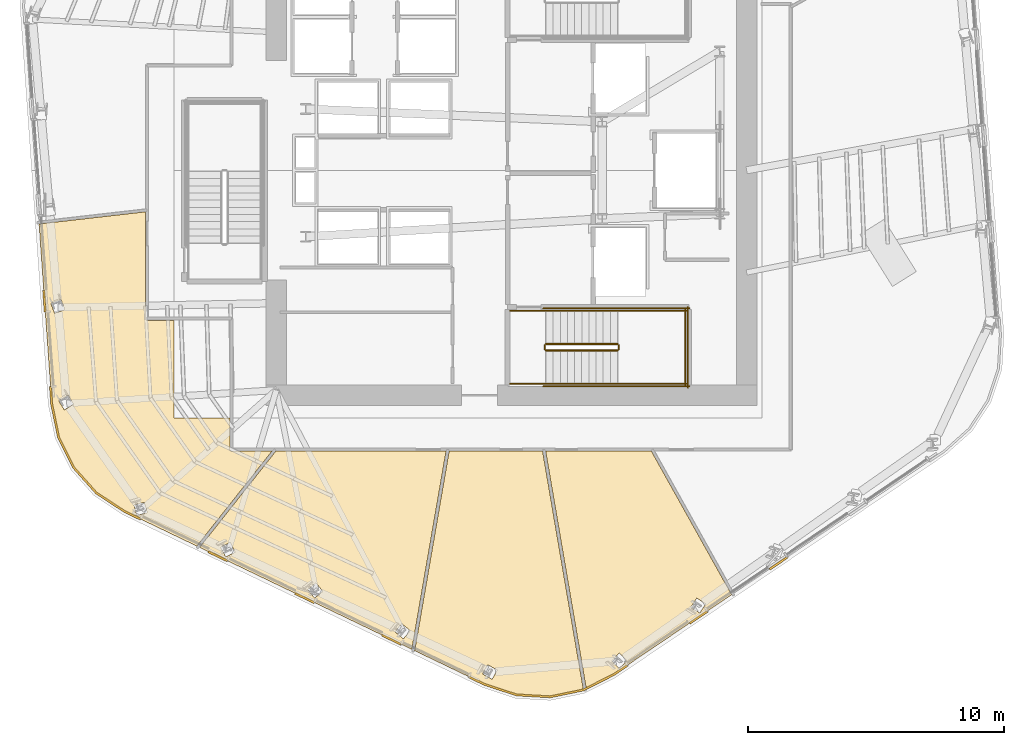
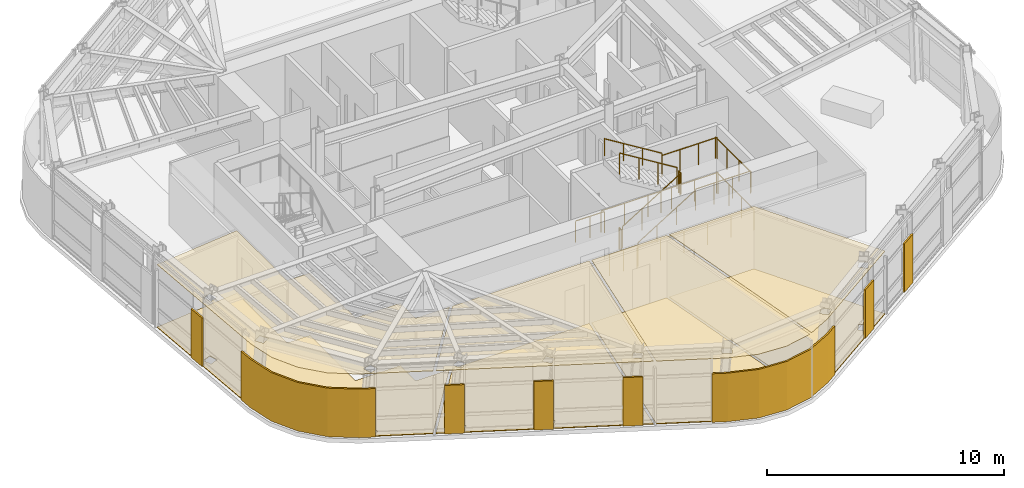
# One storey, part 10 of 15: 16 coverings, 14 railings.
"""IFC4 building model written with IfcOpenShell, lengths in metres."""

from ifc_helpers import new_model, si_unit, direction, frame, origin, origin_2d, place, context, subcontext, project, spatial, polyline, circle, outline, extrude, material, layer, layer_set, type_object, element, save


model = new_model("IFC4")

# Units and contexts
model_context = context("Model", 3, precision=1e-05, world=origin(), true_north=direction((0.0, 1.0)))
body_context = subcontext(model_context, "Body", "Model", "MODEL_VIEW")
ifc_project = project(units=[si_unit("LENGTHUNIT", "METRE"), si_unit("AREAUNIT", "SQUARE_METRE"), si_unit("VOLUMEUNIT", "CUBIC_METRE"), si_unit("PLANEANGLEUNIT", "RADIAN"), si_unit("MASSUNIT", "GRAM", prefix="KILO")], contexts=[model_context])

# Site, building, storey
site_placement = place(None, origin())
site = spatial("IfcSite", under=ifc_project, at=site_placement, CompositionType="ELEMENT")
building_placement = place(site_placement, origin())
building = spatial("IfcBuilding", under=site, at=building_placement, Name="Valkerne Bourse Tower", CompositionType="ELEMENT")
storey_placement = place(building_placement, frame((0.0, 0.0, 170.39990234375)))
storey = spatial("IfcBuildingStorey", under=building, at=storey_placement, Name="L43", CompositionType="ELEMENT", Elevation=170.39990234375)

# Coverings
ifc_material_1 = material(Name="Mineral Fiber Acoustic Ceiling Tile", Category="acoustic")
ifc_layer_1 = layer(ifc_material_1, 0.02490234375)
ifc_layer_set_1 = layer_set([ifc_layer_1], Name="Mineral Fiber Acoustic Ceiling Tile")
covering_type_1 = type_object("IfcCoveringType", Name="COV-CEIL-ACT", PredefinedType="CEILING", material=ifc_layer_set_1)
covering_1_placement = place(storey_placement, frame((0.0, 0.0, 3.22998046875)))
element("IfcCovering", 1, at=covering_1_placement, inside=storey, type_object=covering_type_1, Name="L43 Suspended Ceiling 04", PredefinedType="CEILING", context=body_context, shape_type="SweptSolid", body=[
    extrude(outline(polyline([(48.13818359375, 16.010986328125), (52.27392578125, 16.010986328125), (55.41357421875, 10.393310546875), (50.7919921875, 7.27001953125), (49.72412109375, 6.73291015625), (48.13818359375, 16.010986328125)]), holes=[polyline([(51.315185546875, 7.8203125), (51.0166015625, 8.10693359375), (51.013671875, 8.106201171875), (50.72119140625, 7.7998046875), (51.02001953125, 7.51318359375), (51.022705078125, 7.513671875), (51.315185546875, 7.8203125)]), polyline([(54.39794921875, 10.037353515625), (54.05078125, 10.2626953125), (54.048095703125, 10.26171875), (53.818603515625, 9.905517578125), (54.166015625, 9.68017578125), (54.16845703125, 9.68115234375), (54.39794921875, 10.037353515625)])]), origin(), (0.0, 0.0, 1.0), 0.025146484375),
])
covering_2_placement = place(storey_placement, frame((0.0, 0.0, 3.22998046875)))
element("IfcCovering", 2, at=covering_2_placement, inside=storey, type_object=covering_type_1, Name="L43 Suspended Ceiling 05", PredefinedType="CEILING", context=body_context, shape_type="SweptSolid", body=[
    extrude(outline(polyline([(46.9951171875, 6.481201171875), (45.73291015625, 6.8984375), (43.01318359375, 8.20458984375), (44.36181640625, 16.010986328125), (48.0185546875, 16.010986328125), (49.61376953125, 6.678466796875), (48.3125, 6.4052734375), (46.9951171875, 6.481201171875)]), holes=[polyline([(46.243408203125, 7.4501953125), (45.871826171875, 7.6533203125), (45.868896484375, 7.653564453125), (45.671142578125, 7.28955078125), (46.042724609375, 7.08642578125), (46.045654296875, 7.08642578125), (46.243408203125, 7.4501953125)])]), origin(), (0.0, 0.0, 1.0), 0.025146484375),
])
covering_3_placement = place(storey_placement, frame((0.0, 0.0, 3.22998046875)))
element("IfcCovering", 3, at=covering_3_placement, inside=storey, type_object=covering_type_1, Name="L43 Suspended Ceiling 06", PredefinedType="CEILING", context=body_context, shape_type="SweptSolid", body=[
    extrude(outline(polyline([(44.241943359375, 16.010986328125), (42.90283203125, 8.2578125), (34.599853515625, 12.244873046875), (37.579833984375, 16.010986328125), (44.241943359375, 16.010986328125)]), holes=[polyline([(35.7958984375, 12.43896484375), (35.793701171875, 12.4404296875), (35.42529296875, 12.25146484375), (35.617919921875, 11.8740234375), (35.6201171875, 11.87255859375), (35.988525390625, 12.0615234375), (35.7958984375, 12.43896484375)]), polyline([(42.509521484375, 9.260009765625), (42.507080078125, 9.2607421875), (42.244384765625, 8.9404296875), (42.5712890625, 8.671142578125), (42.573974609375, 8.67041015625), (42.83642578125, 8.99072265625), (42.509521484375, 9.260009765625)]), polyline([(39.418701171875, 10.525390625), (39.1533203125, 10.855712890625), (39.15087890625, 10.856689453125), (38.82861328125, 10.5966796875), (39.093994140625, 10.266357421875), (39.096435546875, 10.26513671875), (39.418701171875, 10.525390625)])]), origin(), (0.0, 0.0, 1.0), 0.025146484375),
])
covering_4_placement = place(storey_placement, frame((0.0, 0.0, 3.22998046875)))
element("IfcCovering", 4, at=covering_4_placement, inside=storey, type_object=covering_type_1, Name="L43 Suspended Ceiling 07", PredefinedType="CEILING", context=body_context, shape_type="SweptSolid", body=[
    extrude(outline(polyline([(29.681884765625, 15.366455078125), (29.089111328125, 16.54541015625), (28.819580078125, 17.8466796875), (28.320068359375, 24.8994140625), (32.48095703125, 25.37451171875), (32.48095703125, 21.199462890625), (32.48779296875, 21.169921875), (32.513916015625, 21.14111328125), (32.54931640625, 21.131103515625), (33.60009765625, 21.131103515625), (33.60009765625, 17.300048828125), (35.78369140625, 17.300048828125), (35.78466796875, 16.05712890625), (35.80908203125, 16.024169921875), (35.8466796875, 16.010986328125), (37.429443359375, 16.010986328125), (34.49072265625, 12.29736328125), (31.67041015625, 13.651611328125), (30.559814453125, 14.38134765625), (29.681884765625, 15.366455078125)]), holes=[polyline([(32.4306640625, 14.012451171875), (32.4287109375, 14.0146484375), (32.031494140625, 13.89794921875), (32.1494140625, 13.491455078125), (32.1513671875, 13.4892578125), (32.548828125, 13.605712890625), (32.4306640625, 14.012451171875)]), polyline([(29.668212890625, 17.847900390625), (29.666748046875, 17.850341796875), (29.451416015625, 18.202880859375), (29.089111328125, 17.981689453125), (29.09033203125, 17.979248046875), (29.3056640625, 17.626708984375), (29.668212890625, 17.847900390625)]), polyline([(29.32373046875, 21.551513671875), (29.322998046875, 21.55419921875), (29.177490234375, 21.94091796875), (28.780029296875, 21.791748046875), (28.78076171875, 21.7890625), (28.92626953125, 21.40234375), (29.32373046875, 21.551513671875)])]), origin(), (0.0, 0.0, 1.0), 0.025146484375),
])
ifc_material_2 = material(Name="Bronze Anodised Aluminium AA 6063-T6", Category="aluminium")
ifc_layer_2 = layer(ifc_material_2, 0.06005859375)
ifc_layer_set_2 = layer_set([ifc_layer_2], Name="Bronze Anodised Aluminium AA 6063-T6")
covering_type_2 = type_object("IfcCoveringType", Name="COV-CRN-ALUM", PredefinedType="CLADDING", material=ifc_layer_set_2)
covering_5_placement = place(storey_placement, origin())
element("IfcCovering", 5, at=covering_5_placement, inside=storey, type_object=covering_type_2, Name="L43 Wind-Shaped Corner Aluminium Cladding 03", PredefinedType="CLADDING", context=body_context, shape_type="SweptSolid", body=[
    extrude(outline(polyline([(56.92138671875, 11.359375), (56.876708984375, 11.425537109375), (57.572509765625, 11.89599609375), (57.61767578125, 11.82958984375), (56.92138671875, 11.359375)])), origin(), (0.0, 0.0, 1.0), 2.5),
])
covering_6_placement = place(storey_placement, origin())
element("IfcCovering", 6, at=covering_6_placement, inside=storey, type_object=covering_type_2, Name="L43 Wind-Shaped Corner Aluminium Cladding 04", PredefinedType="CLADDING", context=body_context, shape_type="SweptSolid", body=[
    extrude(outline(polyline([(53.797119140625, 9.247802734375), (53.752197265625, 9.31396484375), (54.4482421875, 9.784423828125), (54.4931640625, 9.71826171875), (53.797119140625, 9.247802734375)])), origin(), (0.0, 0.0, 1.0), 2.5),
])
covering_7_placement = place(storey_placement, origin())
element("IfcCovering", 7, at=covering_7_placement, inside=storey, type_object=covering_type_2, Name="L43 Wind-Shaped Corner Aluminium Cladding 05", PredefinedType="CLADDING", context=body_context, shape_type="SweptSolid", body=[
    extrude(outline(polyline([(50.814208984375, 7.23193359375), (49.619140625, 6.630859375), (48.315673828125, 6.36083984375), (46.98681640625, 6.4375), (45.716552734375, 6.857666015625), (45.11328125, 7.147216796875), (45.148193359375, 7.21923828125), (45.74658203125, 6.931884765625), (47.001708984375, 6.5166015625), (48.309814453125, 6.44140625), (49.592529296875, 6.70703125), (50.773681640625, 7.301025390625), (51.32373046875, 7.6728515625), (51.368896484375, 7.606689453125), (50.814208984375, 7.23193359375)])), origin(), (0.0, 0.0, 1.0), 2.5),
])
covering_8_placement = place(storey_placement, origin())
element("IfcCovering", 8, at=covering_8_placement, inside=storey, type_object=covering_type_2, Name="L43 Wind-Shaped Corner Aluminium Cladding 06", PredefinedType="CLADDING", context=body_context, shape_type="SweptSolid", body=[
    extrude(outline(polyline([(41.714111328125, 8.77978515625), (41.748779296875, 8.851806640625), (42.506103515625, 8.488037109375), (42.47119140625, 8.416015625), (41.714111328125, 8.77978515625)])), origin(), (0.0, 0.0, 1.0), 2.5),
])
covering_9_placement = place(storey_placement, origin())
element("IfcCovering", 9, at=covering_9_placement, inside=storey, type_object=covering_type_2, Name="L43 Wind-Shaped Corner Aluminium Cladding 07", PredefinedType="CLADDING", context=body_context, shape_type="SweptSolid", body=[
    extrude(outline(polyline([(38.314697265625, 10.412109375), (38.349609375, 10.484130859375), (39.106689453125, 10.12060546875), (39.072021484375, 10.048583984375), (38.314697265625, 10.412109375)])), origin(), (0.0, 0.0, 1.0), 2.5),
])
covering_10_placement = place(storey_placement, origin())
element("IfcCovering", 10, at=covering_10_placement, inside=storey, type_object=covering_type_2, Name="L43 Wind-Shaped Corner Aluminium Cladding 08", PredefinedType="CLADDING", context=body_context, shape_type="SweptSolid", body=[
    extrude(outline(polyline([(34.915283203125, 12.044677734375), (34.9501953125, 12.11669921875), (35.707275390625, 11.7529296875), (35.672607421875, 11.680908203125), (34.915283203125, 12.044677734375)])), origin(), (0.0, 0.0, 1.0), 2.5),
])
covering_11_placement = place(storey_placement, origin())
element("IfcCovering", 11, at=covering_11_placement, inside=storey, type_object=covering_type_2, Name="L43 Wind-Shaped Corner Aluminium Cladding 09", PredefinedType="CLADDING", context=body_context, shape_type="SweptSolid", body=[
    extrude(outline(polyline([(31.648681640625, 13.61328125), (30.53076171875, 14.347900390625), (29.645263671875, 15.341552734375), (29.047119140625, 16.53076171875), (28.77587890625, 17.840576171875), (28.726806640625, 18.53173828125), (28.806640625, 18.53759765625), (28.855224609375, 17.8515625), (29.123291015625, 16.557373046875), (29.7119140625, 15.386962890625), (30.58349609375, 14.40869140625), (31.688232421875, 13.68310546875), (32.30810546875, 13.385498046875), (32.273193359375, 13.3134765625), (31.648681640625, 13.61328125)])), origin(), (0.0, 0.0, 1.0), 2.5),
])
covering_12_placement = place(storey_placement, origin())
element("IfcCovering", 12, at=covering_12_placement, inside=storey, type_object=covering_type_2, Name="L43 Wind-Shaped Corner Aluminium Cladding 10", PredefinedType="CLADDING", context=body_context, shape_type="SweptSolid", body=[
    extrude(outline(polyline([(28.46044921875, 22.293212890625), (28.540283203125, 22.299072265625), (28.599609375, 21.461181640625), (28.519775390625, 21.455078125), (28.46044921875, 22.293212890625)])), origin(), (0.0, 0.0, 1.0), 2.5),
])
ifc_material_3 = material(Name="Polished Granite Stone", Category="masonry")
ifc_layer_3 = layer(ifc_material_3, 0.030029296875)
ifc_layer_set_3 = layer_set([ifc_layer_3], Name="Polished Granite Stone")
covering_type_3 = type_object("IfcCoveringType", Name="COV-FLR-TERRAZZO", PredefinedType="FLOORING", material=ifc_layer_set_3)
covering_13_placement = place(storey_placement, origin())
element("IfcCovering", 13, at=covering_13_placement, inside=storey, type_object=covering_type_3, Name="L43 Floor Finish 04", PredefinedType="FLOORING", context=body_context, shape_type="SweptSolid", body=[
    extrude(outline(polyline([(48.13818359375, 16.010986328125), (52.27392578125, 16.010986328125), (55.41357421875, 10.393310546875), (50.7919921875, 7.27001953125), (49.72412109375, 6.73291015625), (48.13818359375, 16.010986328125)]), holes=[polyline([(51.315185546875, 7.8203125), (51.0166015625, 8.10693359375), (51.013671875, 8.106201171875), (50.72119140625, 7.7998046875), (51.02001953125, 7.51318359375), (51.022705078125, 7.513671875), (51.315185546875, 7.8203125)]), polyline([(54.39794921875, 10.037353515625), (54.05078125, 10.2626953125), (54.048095703125, 10.26171875), (53.818603515625, 9.905517578125), (54.166015625, 9.68017578125), (54.16845703125, 9.68115234375), (54.39794921875, 10.037353515625)])]), origin(), (0.0, 0.0, 1.0), 0.030029296875),
])
covering_14_placement = place(storey_placement, origin())
element("IfcCovering", 14, at=covering_14_placement, inside=storey, type_object=covering_type_3, Name="L43 Floor Finish 05", PredefinedType="FLOORING", context=body_context, shape_type="SweptSolid", body=[
    extrude(outline(polyline([(46.9951171875, 6.481201171875), (45.73291015625, 6.8984375), (43.01318359375, 8.20458984375), (44.36181640625, 16.010986328125), (48.0185546875, 16.010986328125), (49.61376953125, 6.678466796875), (48.3125, 6.4052734375), (46.9951171875, 6.481201171875)]), holes=[polyline([(46.243408203125, 7.4501953125), (45.871826171875, 7.6533203125), (45.868896484375, 7.653564453125), (45.671142578125, 7.28955078125), (46.042724609375, 7.08642578125), (46.045654296875, 7.08642578125), (46.243408203125, 7.4501953125)])]), origin(), (0.0, 0.0, 1.0), 0.030029296875),
])
covering_15_placement = place(storey_placement, origin())
element("IfcCovering", 15, at=covering_15_placement, inside=storey, type_object=covering_type_3, Name="L43 Floor Finish 06", PredefinedType="FLOORING", context=body_context, shape_type="SweptSolid", body=[
    extrude(outline(polyline([(44.241943359375, 16.010986328125), (42.90283203125, 8.2578125), (34.599853515625, 12.244873046875), (37.579833984375, 16.010986328125), (44.241943359375, 16.010986328125)]), holes=[polyline([(35.7958984375, 12.43896484375), (35.793701171875, 12.4404296875), (35.42529296875, 12.25146484375), (35.617919921875, 11.8740234375), (35.6201171875, 11.87255859375), (35.988525390625, 12.0615234375), (35.7958984375, 12.43896484375)]), polyline([(42.509521484375, 9.260009765625), (42.507080078125, 9.2607421875), (42.244384765625, 8.9404296875), (42.5712890625, 8.671142578125), (42.573974609375, 8.67041015625), (42.83642578125, 8.99072265625), (42.509521484375, 9.260009765625)]), polyline([(39.418701171875, 10.525390625), (39.1533203125, 10.855712890625), (39.15087890625, 10.856689453125), (38.82861328125, 10.5966796875), (39.093994140625, 10.266357421875), (39.096435546875, 10.26513671875), (39.418701171875, 10.525390625)])]), origin(), (0.0, 0.0, 1.0), 0.030029296875),
])
covering_16_placement = place(storey_placement, origin())
element("IfcCovering", 16, at=covering_16_placement, inside=storey, type_object=covering_type_3, Name="L43 Floor Finish 07", PredefinedType="FLOORING", context=body_context, shape_type="SweptSolid", body=[
    extrude(outline(polyline([(29.681884765625, 15.366455078125), (29.089111328125, 16.54541015625), (28.819580078125, 17.8466796875), (28.320068359375, 24.8994140625), (32.48095703125, 25.37451171875), (32.48095703125, 21.199462890625), (32.48779296875, 21.169921875), (32.513916015625, 21.14111328125), (32.54931640625, 21.131103515625), (33.60009765625, 21.131103515625), (33.60009765625, 17.300048828125), (35.78369140625, 17.300048828125), (35.78466796875, 16.05712890625), (35.80908203125, 16.024169921875), (35.8466796875, 16.010986328125), (37.429443359375, 16.010986328125), (34.49072265625, 12.29736328125), (31.67041015625, 13.651611328125), (30.559814453125, 14.38134765625), (29.681884765625, 15.366455078125)]), holes=[polyline([(32.4306640625, 14.012451171875), (32.4287109375, 14.0146484375), (32.031494140625, 13.89794921875), (32.1494140625, 13.491455078125), (32.1513671875, 13.4892578125), (32.548828125, 13.605712890625), (32.4306640625, 14.012451171875)]), polyline([(29.668212890625, 17.847900390625), (29.666748046875, 17.850341796875), (29.451416015625, 18.202880859375), (29.089111328125, 17.981689453125), (29.09033203125, 17.979248046875), (29.3056640625, 17.626708984375), (29.668212890625, 17.847900390625)]), polyline([(29.32373046875, 21.551513671875), (29.322998046875, 21.55419921875), (29.177490234375, 21.94091796875), (28.780029296875, 21.791748046875), (28.78076171875, 21.7890625), (28.92626953125, 21.40234375), (29.32373046875, 21.551513671875)])]), origin(), (0.0, 0.0, 1.0), 0.030029296875),
])

# Railings
ifc_material_4 = material(Name="Galvanised Painted Steel", Category="steel")
railing_type_1 = type_object("IfcRailingType", Name="RLG-ST-GUARD-1120", PredefinedType="GUARDRAIL", material=ifc_material_4)
railing_1_placement = place(storey_placement, frame((48.14990234375, 19.949951171875, 0.1728515625)))
element("IfcRailing", 17, at=railing_1_placement, inside=storey, type_object=railing_type_1, Name="L43 ST-1 stair guard 1", PredefinedType="GUARDRAIL", context=body_context, shape_type="SweptSolid", body=[
    extrude(circle(Radius=0.02392578125, at=origin_2d()), frame((0.0, 0.0, 1.09619140625), z_axis=(0.851089632645, 0.0, 0.525020415988), x_axis=(0.0, 1.0, 0.0)), (0.0, 0.0, 1.0), 3.2900390625),
    extrude(circle(Radius=0.02099609375, at=origin_2d()), origin(), (0.0, 0.0, 1.0), 1.072021484375),
    extrude(circle(Radius=0.02099609375, at=origin_2d()), frame((0.933349609375, 0.0, 0.57568359375)), (0.0, 0.0, 1.0), 1.072021484375),
    extrude(circle(Radius=0.02099609375, at=origin_2d()), frame((1.86669921875, 0.0, 1.151611328125)), (0.0, 0.0, 1.0), 1.072021484375),
    extrude(circle(Radius=0.02099609375, at=origin_2d()), frame((2.800048828125, 0.0, 1.727294921875)), (0.0, 0.0, 1.0), 1.072021484375),
])
railing_2_placement = place(storey_placement, frame((51.0, 20.0, 1.900146484375)))
element("IfcRailing", 18, at=railing_2_placement, inside=storey, type_object=railing_type_1, Name="L43 ST-1 stair guard 2", PredefinedType="GUARDRAIL", context=body_context, shape_type="SweptSolid", body=[
    extrude(circle(Radius=0.02392578125, at=origin_2d()), frame((0.0, 0.0, 1.09619140625), z_axis=(0.0, 1.0, 0.0), x_axis=(-1.0, 0.0, 0.0)), (0.0, 0.0, 1.0), 0.14990234375),
    extrude(circle(Radius=0.02099609375, at=origin_2d()), origin(), (0.0, 0.0, 1.0), 1.072021484375),
    extrude(circle(Radius=0.02099609375, at=origin_2d()), frame((0.0, 0.14990234375, 0.0)), (0.0, 0.0, 1.0), 1.072021484375),
])
for number, where, name in (
    (19, (50.949951171875, 18.64990234375, 1.900146484375), "L43 ST-1 stair guard 3"),
    (20, (50.949951171875, 21.5, 1.900146484375), "L43 ST-1 stair guard 4"),
):
    element("IfcRailing", number, at=place(storey_placement, frame(where)), inside=storey, type_object=railing_type_1, Name=name, PredefinedType="GUARDRAIL", context=body_context, shape_type="SweptSolid", body=[
        extrude(circle(Radius=0.02392578125, at=origin_2d()), frame((0.0, 0.0, 1.09619140625), z_axis=(1.0, 0.0, 0.0), x_axis=(0.0, 1.0, 0.0)), (0.0, 0.0, 1.0), 2.699951171875),
        extrude(circle(Radius=0.02099609375, at=origin_2d()), origin(), (0.0, 0.0, 1.0), 1.072021484375),
        extrude(circle(Radius=0.02099609375, at=origin_2d()), frame((0.89990234375, 0.0, 0.0)), (0.0, 0.0, 1.0), 1.072021484375),
        extrude(circle(Radius=0.02099609375, at=origin_2d()), frame((1.800048828125, 0.0, 0.0)), (0.0, 0.0, 1.0), 1.072021484375),
        extrude(circle(Radius=0.02099609375, at=origin_2d()), frame((2.699951171875, 0.0, 0.0)), (0.0, 0.0, 1.0), 1.072021484375),
    ])
railing_3_placement = place(storey_placement, frame((53.60009765625, 18.60009765625, 1.900146484375)))
element("IfcRailing", 21, at=railing_3_placement, inside=storey, type_object=railing_type_1, Name="L43 ST-1 stair guard 5", PredefinedType="GUARDRAIL", context=body_context, shape_type="SweptSolid", body=[
    extrude(circle(Radius=0.02392578125, at=origin_2d()), frame((0.0, 0.0, 1.09619140625), z_axis=(0.0, 1.0, 0.0), x_axis=(-1.0, 0.0, 0.0)), (0.0, 0.0, 1.0), 2.949951171875),
    extrude(circle(Radius=0.02099609375, at=origin_2d()), origin(), (0.0, 0.0, 1.0), 1.072021484375),
    extrude(circle(Radius=0.02099609375, at=origin_2d()), frame((0.0, 0.9833984375, 0.0)), (0.0, 0.0, 1.0), 1.072021484375),
    extrude(circle(Radius=0.02099609375, at=origin_2d()), frame((0.0, 1.966552734375, 0.0)), (0.0, 0.0, 1.0), 1.072021484375),
    extrude(circle(Radius=0.02099609375, at=origin_2d()), frame((0.0, 2.949951171875, 0.0)), (0.0, 0.0, 1.0), 1.072021484375),
])
railing_4_placement = place(storey_placement, frame((50.949951171875, 20.199951171875, 2.07275390625)))
element("IfcRailing", 22, at=railing_4_placement, inside=storey, type_object=railing_type_1, Name="L43 ST-1 stair guard 6", PredefinedType="GUARDRAIL", context=body_context, shape_type="SweptSolid", body=[
    extrude(circle(Radius=0.02392578125, at=origin_2d()), frame((0.0, 0.0, 1.09619140625), z_axis=(-0.851089632645, 0.0, 0.525020415988), x_axis=(0.0, -1.0, 0.0)), (0.0, 0.0, 1.0), 3.2900390625),
    extrude(circle(Radius=0.02099609375, at=origin_2d()), origin(), (0.0, 0.0, 1.0), 1.072021484375),
    extrude(circle(Radius=0.02099609375, at=origin_2d()), frame((-0.933349609375, 0.0, 0.57568359375)), (0.0, 0.0, 1.0), 1.072021484375),
    extrude(circle(Radius=0.02099609375, at=origin_2d()), frame((-1.86669921875, 0.0, 1.151611328125)), (0.0, 0.0, 1.0), 1.072021484375),
    extrude(circle(Radius=0.02099609375, at=origin_2d()), frame((-2.800048828125, 0.0, 1.727294921875)), (0.0, 0.0, 1.0), 1.072021484375),
])
railing_5_placement = place(storey_placement, frame((48.10009765625, 20.0, 0.0)))
element("IfcRailing", 23, at=railing_5_placement, inside=storey, type_object=railing_type_1, Name="L43 ST-1 stair guard 7", PredefinedType="GUARDRAIL", context=body_context, shape_type="SweptSolid", body=[
    extrude(circle(Radius=0.02392578125, at=origin_2d()), frame((0.0, 0.0, 1.09619140625), z_axis=(0.0, 1.0, 0.0), x_axis=(-1.0, 0.0, 0.0)), (0.0, 0.0, 1.0), 0.14990234375),
    extrude(circle(Radius=0.02099609375, at=origin_2d()), origin(), (0.0, 0.0, 1.0), 1.072021484375),
    extrude(circle(Radius=0.02099609375, at=origin_2d()), frame((0.0, 0.14990234375, 0.0)), (0.0, 0.0, 1.0), 1.072021484375),
])
for number, where, name in (
    (24, (46.75, 18.64990234375, 0.0), "L43 ST-1 stair guard 8"),
    (25, (46.75, 21.5, 0.0), "L43 ST-1 stair guard 9"),
):
    element("IfcRailing", number, at=place(storey_placement, frame(where)), inside=storey, type_object=railing_type_1, Name=name, PredefinedType="GUARDRAIL", context=body_context, shape_type="SweptSolid", body=[
        extrude(circle(Radius=0.02392578125, at=origin_2d()), frame((0.0, 0.0, 1.09619140625), z_axis=(1.0, 0.0, 0.0), x_axis=(0.0, 1.0, 0.0)), (0.0, 0.0, 1.0), 1.39990234375),
        extrude(circle(Radius=0.02099609375, at=origin_2d()), origin(), (0.0, 0.0, 1.0), 1.072021484375),
        extrude(circle(Radius=0.02099609375, at=origin_2d()), frame((0.699951171875, 0.0, 0.0)), (0.0, 0.0, 1.0), 1.072021484375),
        extrude(circle(Radius=0.02099609375, at=origin_2d()), frame((1.39990234375, 0.0, 0.0)), (0.0, 0.0, 1.0), 1.072021484375),
    ])
for number, where, name in (
    (26, (48.050048828125, 18.550048828125, 0.0), "L43 ST-1 stair guard 10"),
    (27, (48.050048828125, 21.60009765625, 0.0), "L43 ST-1 stair guard 11"),
):
    element("IfcRailing", number, at=place(storey_placement, frame(where)), inside=storey, type_object=railing_type_1, Name=name, PredefinedType="GUARDRAIL", context=body_context, shape_type="SweptSolid", body=[
        extrude(circle(Radius=0.02392578125, at=origin_2d()), frame((0.0, 0.0, 1.09619140625), z_axis=(1.0, 0.0, 0.0), x_axis=(0.0, 1.0, 0.0)), (0.0, 0.0, 1.0), 5.699951171875),
        extrude(circle(Radius=0.02099609375, at=origin_2d()), origin(), (0.0, 0.0, 1.0), 1.072021484375),
        extrude(circle(Radius=0.02099609375, at=origin_2d()), frame((1.139892578125, 0.0, 0.0)), (0.0, 0.0, 1.0), 1.072021484375),
        extrude(circle(Radius=0.02099609375, at=origin_2d()), frame((2.280029296875, 0.0, 0.0)), (0.0, 0.0, 1.0), 1.072021484375),
        extrude(circle(Radius=0.02099609375, at=origin_2d()), frame((3.419921875, 0.0, 0.0)), (0.0, 0.0, 1.0), 1.072021484375),
        extrude(circle(Radius=0.02099609375, at=origin_2d()), frame((4.56005859375, 0.0, 0.0)), (0.0, 0.0, 1.0), 1.072021484375),
        extrude(circle(Radius=0.02099609375, at=origin_2d()), frame((5.699951171875, 0.0, 0.0)), (0.0, 0.0, 1.0), 1.072021484375),
    ])
railing_6_placement = place(storey_placement, frame((53.699951171875, 18.5, 0.0)))
element("IfcRailing", 28, at=railing_6_placement, inside=storey, type_object=railing_type_1, Name="L43 ST-1 stair guard 12", PredefinedType="GUARDRAIL", context=body_context, shape_type="SweptSolid", body=[
    extrude(circle(Radius=0.02392578125, at=origin_2d()), frame((0.0, 0.0, 1.09619140625), z_axis=(0.0, 1.0, 0.0), x_axis=(-1.0, 0.0, 0.0)), (0.0, 0.0, 1.0), 3.14990234375),
    extrude(circle(Radius=0.02099609375, at=origin_2d()), origin(), (0.0, 0.0, 1.0), 1.072021484375),
    extrude(circle(Radius=0.02099609375, at=origin_2d()), frame((0.0, 1.050048828125, 0.0)), (0.0, 0.0, 1.0), 1.072021484375),
    extrude(circle(Radius=0.02099609375, at=origin_2d()), frame((0.0, 2.099853515625, 0.0)), (0.0, 0.0, 1.0), 1.072021484375),
    extrude(circle(Radius=0.02099609375, at=origin_2d()), frame((0.0, 3.14990234375, 0.0)), (0.0, 0.0, 1.0), 1.072021484375),
])
ifc_material_5 = material(Name="Stainless Steel AISI 316", Category="steel")
railing_type_2 = type_object("IfcRailingType", Name="RLG-ST-HANDRAIL-900", PredefinedType="HANDRAIL", material=ifc_material_5)
railing_7_placement = place(storey_placement, frame((48.14990234375, 18.64990234375, 0.345458984375)))
element("IfcRailing", 29, at=railing_7_placement, inside=storey, type_object=railing_type_2, Name="L43 ST-1 stair handrail 1", PredefinedType="HANDRAIL", context=body_context, shape_type="SweptSolid", body=[
    extrude(circle(Radius=0.02392578125, at=origin_2d()), frame((0.0, 0.0, 0.8759765625), z_axis=(0.851089632645, 0.0, 0.525020415988), x_axis=(0.0, 1.0, 0.0)), (0.0, 0.0, 1.0), 3.2900390625),
    extrude(circle(Radius=0.02099609375, at=origin_2d()), origin(), (0.0, 0.0, 1.0), 0.851806640625),
    extrude(circle(Radius=0.02099609375, at=origin_2d()), frame((0.933349609375, 0.0, 0.57568359375)), (0.0, 0.0, 1.0), 0.851806640625),
    extrude(circle(Radius=0.02099609375, at=origin_2d()), frame((1.86669921875, 0.0, 1.151611328125)), (0.0, 0.0, 1.0), 0.851806640625),
    extrude(circle(Radius=0.02099609375, at=origin_2d()), frame((2.800048828125, 0.0, 1.727294921875)), (0.0, 0.0, 1.0), 0.851806640625),
])
railing_8_placement = place(storey_placement, frame((50.949951171875, 21.5, 2.24560546875)))
element("IfcRailing", 30, at=railing_8_placement, inside=storey, type_object=railing_type_2, Name="L43 ST-1 stair handrail 2", PredefinedType="HANDRAIL", context=body_context, shape_type="SweptSolid", body=[
    extrude(circle(Radius=0.02392578125, at=origin_2d()), frame((0.0, 0.0, 0.8759765625), z_axis=(-0.851089632645, 0.0, 0.525020415988), x_axis=(0.0, -1.0, 0.0)), (0.0, 0.0, 1.0), 3.2900390625),
    extrude(circle(Radius=0.02099609375, at=origin_2d()), origin(), (0.0, 0.0, 1.0), 0.851806640625),
    extrude(circle(Radius=0.02099609375, at=origin_2d()), frame((-0.933349609375, 0.0, 0.57568359375)), (0.0, 0.0, 1.0), 0.851806640625),
    extrude(circle(Radius=0.02099609375, at=origin_2d()), frame((-1.86669921875, 0.0, 1.151611328125)), (0.0, 0.0, 1.0), 0.851806640625),
    extrude(circle(Radius=0.02099609375, at=origin_2d()), frame((-2.800048828125, 0.0, 1.727294921875)), (0.0, 0.0, 1.0), 0.851806640625),
])

save(model, "model.ifc")
